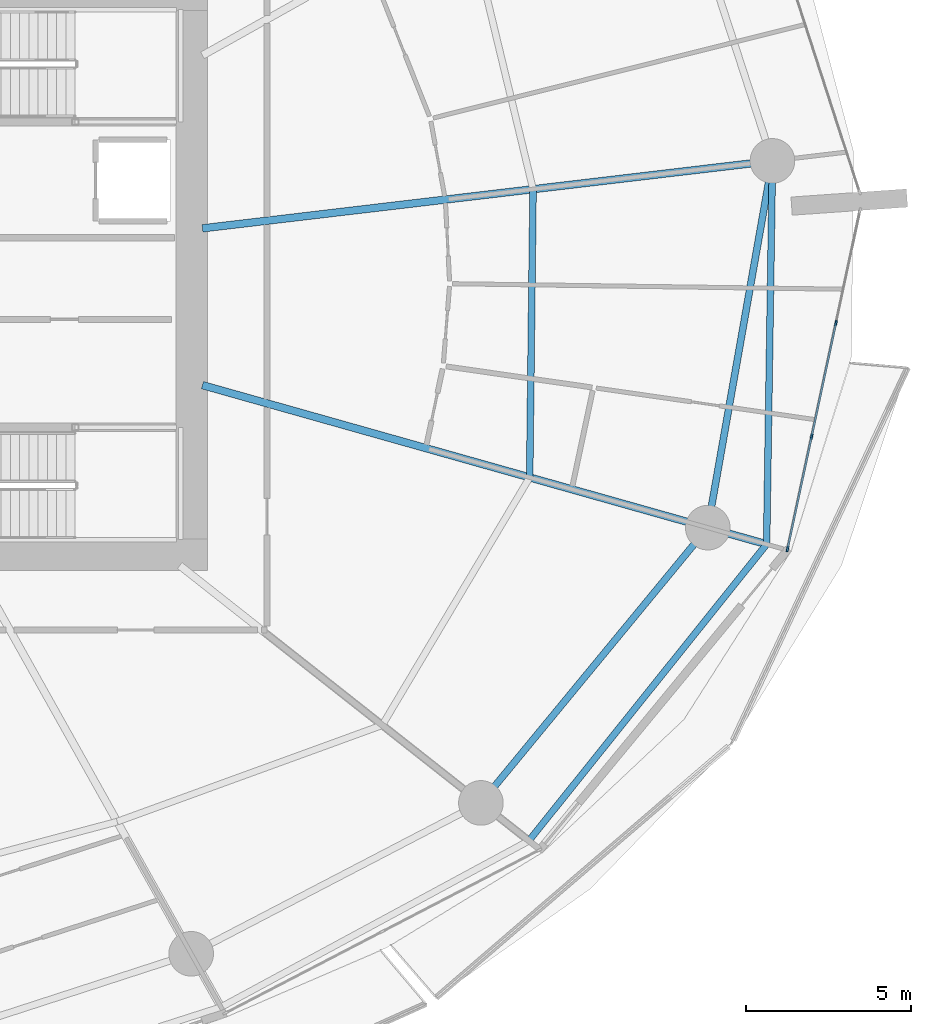
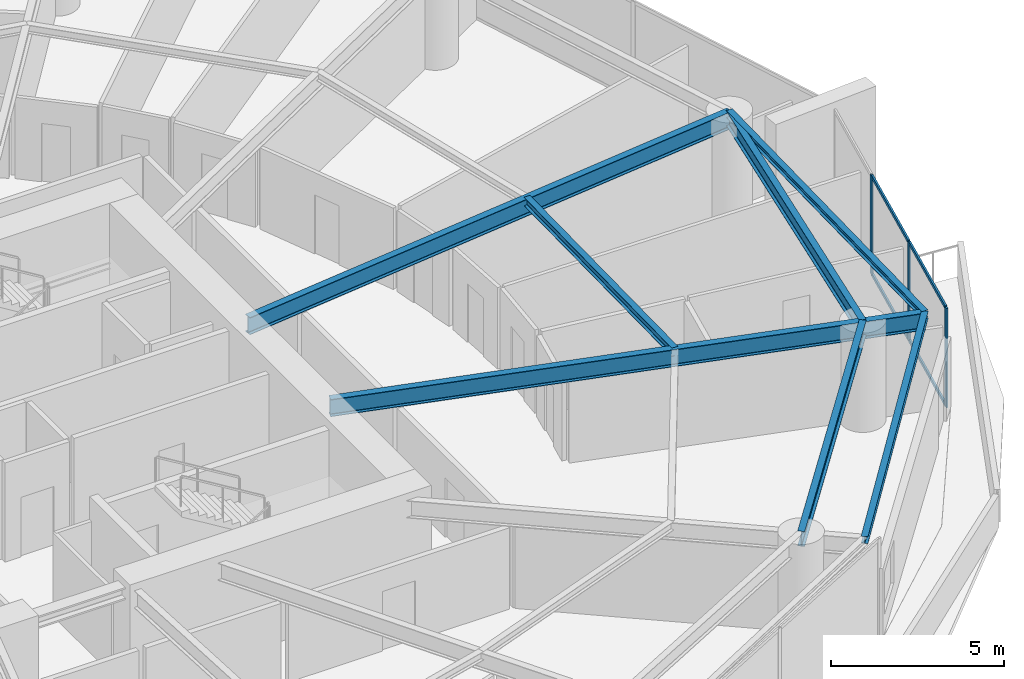
# One storey, part 11 of 31: 7 beams, 7 members, 1 element without a shape of its own.
"""IFC4 building model written with IfcOpenShell, lengths in metres."""

from ifc_helpers import new_model, si_unit, direction, frame, origin, origin_2d, place, context, subcontext, project, spatial, rectangle, i_section, extrude, material, layer, layer_set, material_profile, profile_set, type_object, element, aggregate, save


model = new_model("IFC4")

# Units and contexts
model_context = context("Model", 3, precision=1e-05, world=origin(), true_north=direction((0.0, 1.0)))
body_context = subcontext(model_context, "Body", "Model", "MODEL_VIEW")
ifc_project = project(units=[si_unit("LENGTHUNIT", "METRE"), si_unit("AREAUNIT", "SQUARE_METRE"), si_unit("VOLUMEUNIT", "CUBIC_METRE"), si_unit("PLANEANGLEUNIT", "RADIAN"), si_unit("MASSUNIT", "GRAM", prefix="KILO")], contexts=[model_context])

# Site, building, storey
site_placement = place(None, origin())
site = spatial("IfcSite", under=ifc_project, at=site_placement, CompositionType="ELEMENT")
building_placement = place(site_placement, origin())
building = spatial("IfcBuilding", under=site, at=building_placement, Name="Kazma Halo Residences", CompositionType="ELEMENT")
storey_placement = place(building_placement, frame((0.0, 0.0, 45.14990234375)))
storey = spatial("IfcBuildingStorey", under=building, at=storey_placement, Name="L10", CompositionType="ELEMENT", Elevation=45.14990234375)

# Beams
ifc_material_1 = material(Name="Steel S355", Category="steel")
ifc_material_profile_1 = material_profile(ifc_material_1, i_section(OverallWidth=0.201904296875, OverallDepth=0.2470703125, WebThickness=0.00732421875, FlangeThickness=0.010986328125, FilletRadius=0.011962890625, at=origin_2d()), Name="W250x49.1")
ifc_profile_set_1 = profile_set([ifc_material_profile_1], Name="Steel S355")
beam_type_1 = type_object("IfcBeamType", Name="BM-BAL-CANT", PredefinedType="BEAM", material=ifc_profile_set_1)
beam_1_placement = place(storey_placement, frame((69.728515625, 24.87060546875, 3.376708984375), z_axis=(0.625476617708, 0.780242911343, 0.0), x_axis=(-0.780242911343, 0.625476617708, 0.0)))
element("IfcBeam", 1, at=beam_1_placement, inside=storey, type_object=beam_type_1, Name="L10 wave-balcony tie beam 14", PredefinedType="BEAM", context=body_context, shape_type="SweptSolid", body=[
    extrude(i_section(OverallWidth=0.201904296875, OverallDepth=0.2470703125, WebThickness=0.00732421875, FlangeThickness=0.010986328125, FilletRadius=0.011962890625, at=origin_2d()), origin(), (0.0, 0.0, 1.0), 11.499755859375),
])
beam_2_placement = place(storey_placement, frame((76.92138671875, 33.84326171875, 3.376708984375), z_axis=(0.015213846033, 0.999884262747, 0.0), x_axis=(-0.999884262747, 0.015213846033, 0.0)))
element("IfcBeam", 2, at=beam_2_placement, inside=storey, type_object=beam_type_1, Name="L10 wave-balcony tie beam 15", PredefinedType="BEAM", context=body_context, shape_type="SweptSolid", body=[
    extrude(i_section(OverallWidth=0.201904296875, OverallDepth=0.2470703125, WebThickness=0.00732421875, FlangeThickness=0.010986328125, FilletRadius=0.011962890625, at=origin_2d()), origin(), (0.0, 0.0, 1.0), 11.602294921875),
])
ifc_material_profile_2 = material_profile(ifc_material_1, i_section(OverallWidth=0.22802734375, OverallDepth=0.60791015625, WebThickness=0.01123046875, FlangeThickness=0.017333984375, FilletRadius=0.01806640625, at=origin_2d()), Name="W610x113")
ifc_profile_set_2 = profile_set([ifc_material_profile_2], Name="Steel S355")
beam_type_2 = type_object("IfcBeamType", Name="BM-RAD-W610", PredefinedType="BEAM", material=ifc_profile_set_2)
beam_3_placement = place(storey_placement, frame((59.85009765625, 38.657958984375, 3.196044921875), z_axis=(0.962453825278, -0.271445453468, 0.0), x_axis=(0.271445453468, 0.962453825278, 0.0)))
element("IfcBeam", 3, at=beam_3_placement, inside=storey, type_object=beam_type_2, Name="L10 radial floor beam 15", PredefinedType="BEAM", context=body_context, shape_type="SweptSolid", body=[
    extrude(i_section(OverallWidth=0.22802734375, OverallDepth=0.60791015625, WebThickness=0.01123046875, FlangeThickness=0.017333984375, FilletRadius=0.01806640625, at=origin_2d()), origin(), (0.0, 0.0, 1.0), 17.7373046875),
])
beam_4_placement = place(storey_placement, frame((59.85009765625, 43.402587890625, 3.196044921875), z_axis=(0.993067839154, 0.117542617111, 0.0), x_axis=(-0.117542617111, 0.993067839154, 0.0)))
element("IfcBeam", 4, at=beam_4_placement, inside=storey, type_object=beam_type_2, Name="L10 radial floor beam 16", PredefinedType="BEAM", context=body_context, shape_type="SweptSolid", body=[
    extrude(i_section(OverallWidth=0.22802734375, OverallDepth=0.60791015625, WebThickness=0.01123046875, FlangeThickness=0.017333984375, FilletRadius=0.01806640625, at=origin_2d()), origin(), (0.0, 0.0, 1.0), 17.3681640625),
])
ifc_material_profile_3 = material_profile(ifc_material_1, i_section(OverallWidth=0.202880859375, OverallDepth=0.302978515625, WebThickness=0.007568359375, FlangeThickness=0.01318359375, FilletRadius=0.013916015625, at=origin_2d()), Name="W310x60")
ifc_profile_set_3 = profile_set([ifc_material_profile_3], Name="Steel S355")
beam_type_3 = type_object("IfcBeamType", Name="BM-SEC-W310A", PredefinedType="JOIST", material=ifc_profile_set_3)
beam_5_placement = place(storey_placement, frame((69.75146484375, 35.865478515625, 3.3486328125), z_axis=(0.011728659646, 0.999931216906, 0.0), x_axis=(-0.999931216906, 0.011728659646, 0.0)))
element("IfcBeam", 5, at=beam_5_placement, inside=storey, type_object=beam_type_3, Name="L10 circumferential floor joist 15", PredefinedType="JOIST", context=body_context, shape_type="SweptSolid", body=[
    extrude(i_section(OverallWidth=0.202880859375, OverallDepth=0.302978515625, WebThickness=0.007568359375, FlangeThickness=0.01318359375, FilletRadius=0.013916015625, at=origin_2d()), origin(), (0.0, 0.0, 1.0), 8.7216796875),
])
ifc_material_profile_4 = material_profile(ifc_material_1, i_section(OverallWidth=0.208984375, OverallDepth=0.532958984375, WebThickness=0.01025390625, FlangeThickness=0.015625, FilletRadius=0.01611328125, at=origin_2d()), Name="W530x92")
ifc_profile_set_4 = profile_set([ifc_material_profile_4], Name="Steel S355")
beam_type_4 = type_object("IfcBeamType", Name="BM-SPN-W530", PredefinedType="BEAM", material=ifc_profile_set_4)
beam_6_placement = place(storey_placement, frame((68.27587890625, 26.015869140625, 3.233642578125), z_axis=(0.636001336663, 0.771687954916, 0.0), x_axis=(-0.771687954916, 0.636001336663, 0.0)))
element("IfcBeam", 6, at=beam_6_placement, inside=storey, type_object=beam_type_4, Name="L10 perimeter ring beam 14", PredefinedType="BEAM", context=body_context, shape_type="SweptSolid", body=[
    extrude(i_section(OverallWidth=0.208984375, OverallDepth=0.532958984375, WebThickness=0.01025390625, FlangeThickness=0.015625, FilletRadius=0.01611328125, at=origin_2d()), origin(), (0.0, 0.0, 1.0), 10.7939453125),
])
beam_7_placement = place(storey_placement, frame((75.140869140625, 34.345458984375, 3.233642578125), z_axis=(0.173651864005, 0.984807103004, 0.0), x_axis=(-0.984807103004, 0.173651864005, 0.0)))
element("IfcBeam", 7, at=beam_7_placement, inside=storey, type_object=beam_type_4, Name="L10 perimeter ring beam 15", PredefinedType="BEAM", context=body_context, shape_type="SweptSolid", body=[
    extrude(i_section(OverallWidth=0.208984375, OverallDepth=0.532958984375, WebThickness=0.01025390625, FlangeThickness=0.015625, FilletRadius=0.01611328125, at=origin_2d()), origin(), (0.0, 0.0, 1.0), 11.269775390625),
])

# Curtain wall, members
ifc_material_2 = material(Name="Aluminium AW-6063 T6 and Triple-Silver Low-E Glass", Category="aluminium")
ifc_layer = layer(ifc_material_2, 0.159912109375)
ifc_layer_set = layer_set([ifc_layer], Name="Aluminium AW-6063 T6 and Triple-Silver Low-E Glass")
curtain_wall_type = type_object("IfcCurtainWallType", Name="CW-SYS-2", PredefinedType="NOTDEFINED", material=ifc_layer_set)
curtain_wall_placement = place(storey_placement, origin())
curtain_wall = element("IfcCurtainWall", 8, at=curtain_wall_placement, inside=storey, type_object=curtain_wall_type, Name="L10 unitised curtain wall B15", PredefinedType="NOTDEFINED")
ifc_material_3 = material(Name="Aluminium AW-6063 T6", Category="aluminium")
ifc_material_profile_5 = material_profile(ifc_material_3, rectangle(XDim=0.06005859375, YDim=0.159912109375, at=origin_2d()), Name="CWM-60x160")
ifc_profile_set_5 = profile_set([ifc_material_profile_5], Name="Aluminium AW-6063 T6")
member_type_1 = type_object("IfcMemberType", Name="CW-SYS-2-MUL", PredefinedType="MULLION", material=ifc_profile_set_5)
member_1_placement = place(storey_placement, frame((77.552978515625, 33.6962890625, 0.0), z_axis=(0.0, 0.0, 1.0), x_axis=(-0.977779215096, 0.209637321406, 0.0)))
member_1 = element("IfcMember", 9, at=member_1_placement, type_object=member_type_1, Name="CWS-2 mullion 1", PredefinedType="MULLION", context=body_context, shape_type="SweptSolid", body=[
    extrude(rectangle(XDim=0.06005859375, YDim=0.159912109375, at=origin_2d()), origin(), (0.0, 0.0, 1.0), 3.5),
])
member_2_placement = place(storey_placement, frame((78.282958984375, 37.101318359375, 0.0), z_axis=(0.0, 0.0, 1.0), x_axis=(-0.977779215096, 0.209637321406, 0.0)))
member_2 = element("IfcMember", 10, at=member_2_placement, type_object=member_type_1, Name="CWS-2 mullion 2", PredefinedType="MULLION", context=body_context, shape_type="SweptSolid", body=[
    extrude(rectangle(XDim=0.06005859375, YDim=0.159912109375, at=origin_2d()), origin(), (0.0, 0.0, 1.0), 3.5),
])
member_3_placement = place(storey_placement, frame((79.019287109375, 40.53564453125, 0.0), z_axis=(0.0, 0.0, 1.0), x_axis=(-0.977779215096, 0.209637321406, 0.0)))
member_3 = element("IfcMember", 11, at=member_3_placement, type_object=member_type_1, Name="CWS-2 mullion 3", PredefinedType="MULLION", context=body_context, shape_type="SweptSolid", body=[
    extrude(rectangle(XDim=0.06005859375, YDim=0.159912109375, at=origin_2d()), origin(), (0.0, 0.0, 1.0), 3.5),
])
ifc_material_profile_6 = material_profile(ifc_material_3, rectangle(XDim=0.06005859375, YDim=0.1201171875, at=origin_2d()), Name="CWT-60x120")
ifc_profile_set_6 = profile_set([ifc_material_profile_6], Name="Aluminium AW-6063 T6")
member_type_2 = type_object("IfcMemberType", Name="CW-SYS-2-TRN", PredefinedType="USERDEFINED", material=ifc_profile_set_6)
member_4_placement = place(storey_placement, frame((77.559326171875, 33.7255859375, 0.030029296875), z_axis=(0.209650877007, 0.977776308657, 0.0), x_axis=(-0.977776308657, 0.209650877007, 0.0)))
member_4 = element("IfcMember", 12, at=member_4_placement, type_object=member_type_2, Name="CWS-2 transom 1.1", ObjectType="TRANSOM", PredefinedType="USERDEFINED", context=body_context, shape_type="SweptSolid", body=[
    extrude(rectangle(XDim=0.06005859375, YDim=0.1201171875, at=origin_2d()), origin(), (0.0, 0.0, 1.0), 3.422607421875),
])
member_5_placement = place(storey_placement, frame((77.559326171875, 33.7255859375, 3.47021484375), z_axis=(0.209650877007, 0.977776308657, 0.0), x_axis=(-0.977776308657, 0.209650877007, 0.0)))
member_5 = element("IfcMember", 13, at=member_5_placement, type_object=member_type_2, Name="CWS-2 transom 1.2", ObjectType="TRANSOM", PredefinedType="USERDEFINED", context=body_context, shape_type="SweptSolid", body=[
    extrude(rectangle(XDim=0.06005859375, YDim=0.1201171875, at=origin_2d()), origin(), (0.0, 0.0, 1.0), 3.422607421875),
])
member_6_placement = place(storey_placement, frame((78.289306640625, 37.130615234375, 0.030029296875), z_axis=(0.209669136217, 0.977772393412, 0.0), x_axis=(-0.977772393412, 0.209669136217, 0.0)))
member_6 = element("IfcMember", 14, at=member_6_placement, type_object=member_type_2, Name="CWS-2 transom 2.1", ObjectType="TRANSOM", PredefinedType="USERDEFINED", context=body_context, shape_type="SweptSolid", body=[
    extrude(rectangle(XDim=0.06005859375, YDim=0.1201171875, at=origin_2d()), origin(), (0.0, 0.0, 1.0), 3.452392578125),
])
member_7_placement = place(storey_placement, frame((78.289306640625, 37.130615234375, 3.47021484375), z_axis=(0.209669136217, 0.977772393412, 0.0), x_axis=(-0.977772393412, 0.209669136217, 0.0)))
member_7 = element("IfcMember", 15, at=member_7_placement, type_object=member_type_2, Name="CWS-2 transom 2.2", ObjectType="TRANSOM", PredefinedType="USERDEFINED", context=body_context, shape_type="SweptSolid", body=[
    extrude(rectangle(XDim=0.06005859375, YDim=0.1201171875, at=origin_2d()), origin(), (0.0, 0.0, 1.0), 3.452392578125),
])
aggregate(curtain_wall, [member_1, member_2, member_3, member_4, member_5, member_6, member_7])

save(model, "model.ifc")
